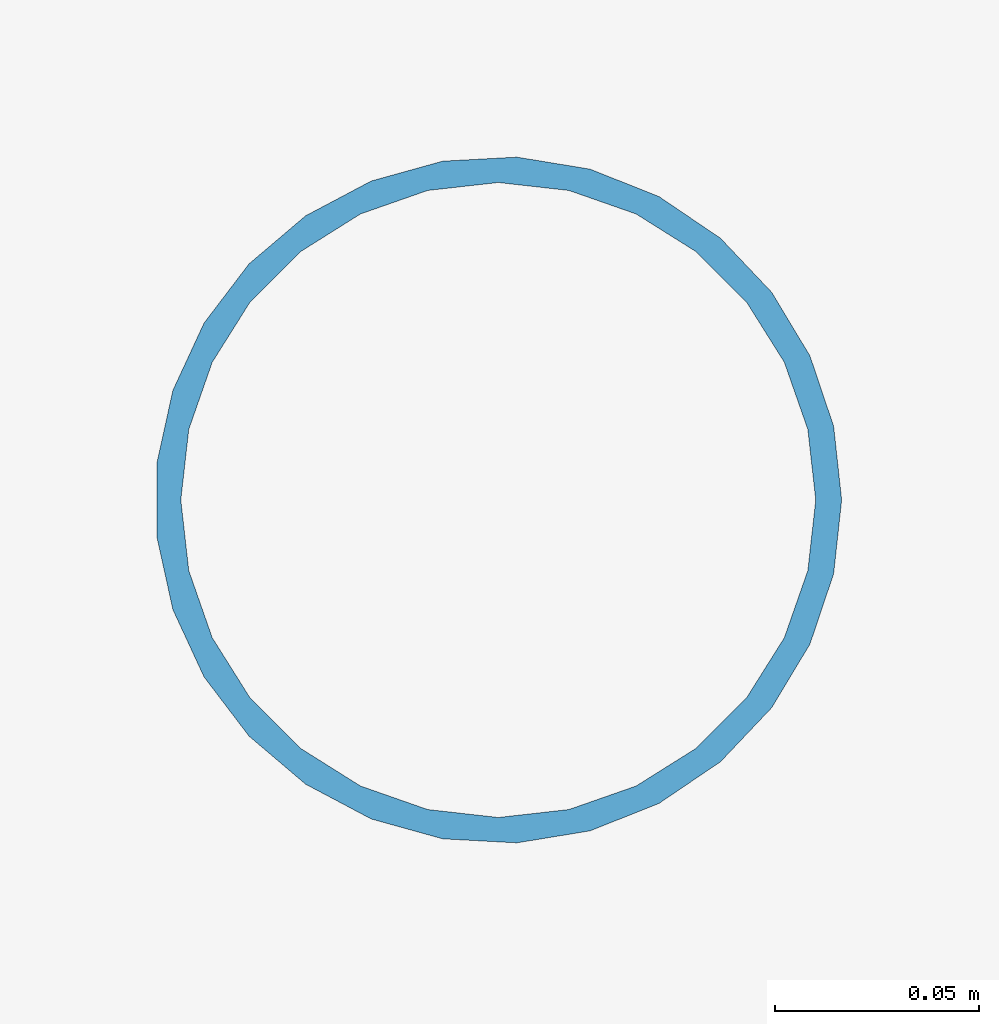
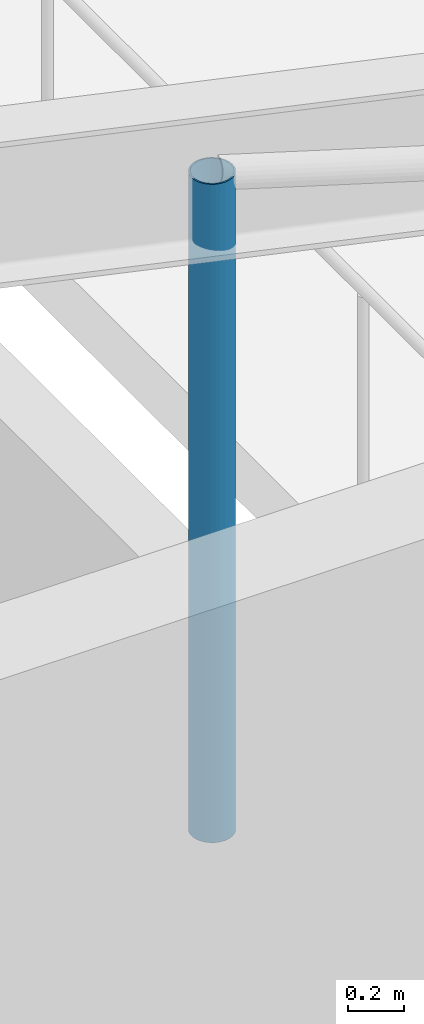
# One storey, part 18 of 105: 1 member.
"""IFC4 building model written with IfcOpenShell, lengths in metres."""

from ifc_helpers import new_model, si_unit, direction, frame, origin, origin_2d, place, context, subcontext, project, spatial, hollow_circle, extrude, material, material_profile, profile_set, type_object, element, save


model = new_model("IFC4")

# Units and contexts
model_context = context("Model", 3, precision=1e-05, world=origin(), true_north=direction((0.0, 1.0)))
body_context = subcontext(model_context, "Body", "Model", "MODEL_VIEW")
ifc_project = project(units=[si_unit("LENGTHUNIT", "METRE"), si_unit("AREAUNIT", "SQUARE_METRE"), si_unit("VOLUMEUNIT", "CUBIC_METRE"), si_unit("PLANEANGLEUNIT", "RADIAN"), si_unit("MASSUNIT", "GRAM", prefix="KILO")], contexts=[model_context])

# Site, building, storey
site_placement = place(None, origin())
site = spatial("IfcSite", under=ifc_project, at=site_placement, CompositionType="ELEMENT")
building_placement = place(site_placement, origin())
building = spatial("IfcBuilding", under=site, at=building_placement, Name="Pelvatis Terrace Science Centre", CompositionType="ELEMENT")
storey_placement = place(building_placement, frame((0.0, 0.0, 10.199951171875)))
storey = spatial("IfcBuildingStorey", under=building, at=storey_placement, Name="L02", CompositionType="ELEMENT", Elevation=10.199951171875)

# Member
ifc_material = material(Name="Structural steel S355", Category="steel")
ifc_material_profile = material_profile(ifc_material, hollow_circle(Radius=0.084228515625, WallThickness=0.00634765625, at=origin_2d()), Name="CHS 168.3x6.3")
ifc_profile_set = profile_set([ifc_material_profile], Name="Structural steel S355")
member_type = type_object("IfcMemberType", Name="MEM-STR-CHS168", PredefinedType="STRUT", material=ifc_profile_set)
member_placement = place(storey_placement, frame((36.699951171875, 70.800048828125, 3.400146484375), z_axis=(0.0, 0.0, 1.0), x_axis=(1.0, 0.0, 0.0)))
element("IfcMember", 1, at=member_placement, inside=storey, type_object=member_type, Name="Theatre truss 1 web 2", PredefinedType="STRUT", context=body_context, shape_type="SweptSolid", body=[
    extrude(hollow_circle(Radius=0.084228515625, WallThickness=0.00634765625, at=origin_2d()), origin(), (0.0, 0.0, 1.0), 2.849853515625),
])

save(model, "model.ifc")
